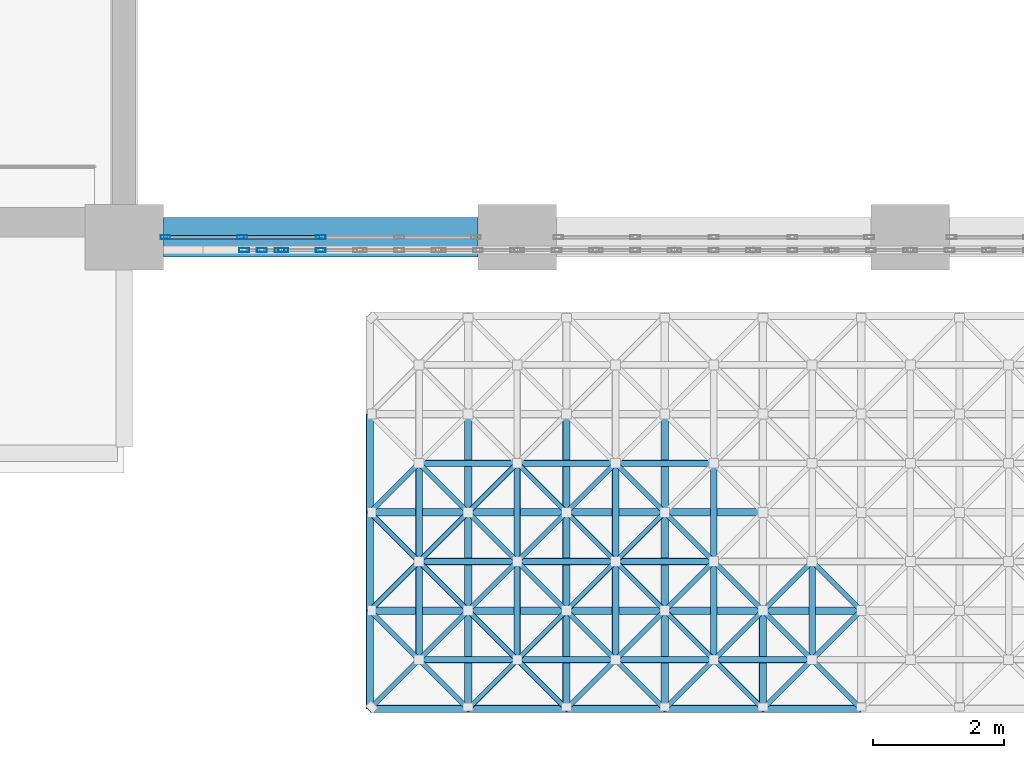
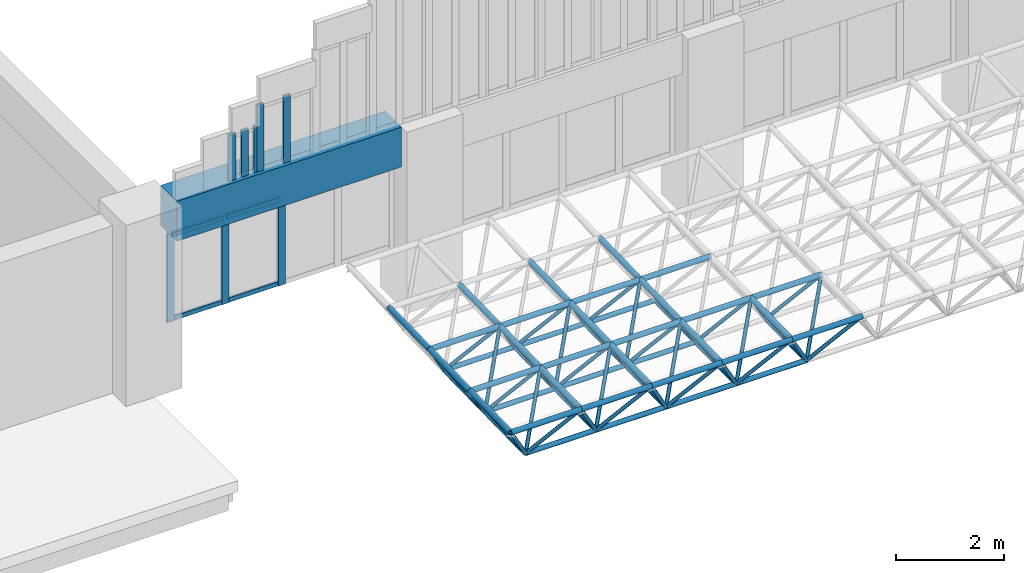
# One storey, part 8 of 103: 101 members, 1 beam, 3 elements without a shape of their own.
"""IFC4 building model written with IfcOpenShell, lengths in metres."""

from ifc_helpers import new_model, si_unit, direction, frame, origin, origin_2d, place, context, subcontext, project, spatial, rectangle, hollow_rectangle, hollow_circle, extrude, material, material_profile, profile_set, type_object, element, aggregate, save


model = new_model("IFC4")

# Units and contexts
model_context = context("Model", 3, precision=1e-05, world=origin(), true_north=direction((0.0, 1.0)))
body_context = subcontext(model_context, "Body", "Model", "MODEL_VIEW")
ifc_project = project(units=[si_unit("LENGTHUNIT", "METRE"), si_unit("AREAUNIT", "SQUARE_METRE"), si_unit("VOLUMEUNIT", "CUBIC_METRE"), si_unit("PLANEANGLEUNIT", "RADIAN"), si_unit("MASSUNIT", "GRAM", prefix="KILO")], contexts=[model_context])

# Site, building, storey
site_placement = place(None, origin())
site = spatial("IfcSite", under=ifc_project, at=site_placement, CompositionType="ELEMENT")
building_placement = place(site_placement, origin())
building = spatial("IfcBuilding", under=site, at=building_placement, Name="Laocheng Heights Fire and Rescue Headquarters", CompositionType="ELEMENT")
storey_placement = place(building_placement, frame((0.0, 0.0, 4.199951171875)))
storey = spatial("IfcBuildingStorey", under=building, at=storey_placement, Name="L01", CompositionType="ELEMENT", Elevation=4.199951171875)

# Curtain wall, members
ifc_material_1 = material(Name="Aluminium gable glazing, low-e double glazing", Category="aluminium")
curtain_wall_type_1 = type_object("IfcCurtainWallType", Name="GABLE SPANDREL GLAZED UNIT 4800 x 1990", PredefinedType="NOTDEFINED", material=ifc_material_1)
curtain_wall_1_placement = place(storey_placement, origin())
curtain_wall_1 = element("IfcCurtainWall", 1, at=curtain_wall_1_placement, inside=storey, type_object=curtain_wall_type_1, Name="Gable spandrel glazing S1", PredefinedType="NOTDEFINED")
ifc_material_2 = material(Name="Aluminium 6063-T5 extrusion", Category="aluminium")
ifc_material_profile_1 = material_profile(ifc_material_2, hollow_rectangle(XDim=0.06005859375, YDim=0.14990234375, WallThickness=0.0029296875, at=origin_2d()), Name="AL MULLION 150x60x3")
ifc_profile_set_1 = profile_set([ifc_material_profile_1], Name="Aluminium 6063-T5 extrusion")
member_type_1 = type_object("IfcMemberType", Name="AL GABLE MULLION 150x60x3", PredefinedType="MULLION", material=ifc_profile_set_1)
member_1_placement = place(storey_placement, frame((18.6298828125, 0.0, 1.199951171875), z_axis=(0.0, 0.0, 1.0), x_axis=(0.0, 1.0, 0.0)))
member_1 = element("IfcMember", 2, at=member_1_placement, type_object=member_type_1, Name="X1-D mullion 1", PredefinedType="MULLION", context=body_context, shape_type="SweptSolid", body=[
    extrude(hollow_rectangle(XDim=0.06005859375, YDim=0.14990234375, WallThickness=0.0029296875, at=origin_2d()), origin(), (0.0, 0.0, 1.0), 1.990478515625),
])
member_2_placement = place(storey_placement, frame((19.800048828125, 0.0, 1.199951171875), z_axis=(0.0, 0.0, 1.0), x_axis=(0.0, 1.0, 0.0)))
member_2 = element("IfcMember", 3, at=member_2_placement, type_object=member_type_1, Name="X1-D mullion 2", PredefinedType="MULLION", context=body_context, shape_type="SweptSolid", body=[
    extrude(hollow_rectangle(XDim=0.06005859375, YDim=0.14990234375, WallThickness=0.0029296875, at=origin_2d()), origin(), (0.0, 0.0, 1.0), 1.990478515625),
])
member_3_placement = place(storey_placement, frame((21.0, 0.0, 1.199951171875), z_axis=(0.0, 0.0, 1.0), x_axis=(0.0, 1.0, 0.0)))
member_3 = element("IfcMember", 4, at=member_3_placement, type_object=member_type_1, Name="X1-D mullion 3", PredefinedType="MULLION", context=body_context, shape_type="SweptSolid", body=[
    extrude(hollow_rectangle(XDim=0.06005859375, YDim=0.14990234375, WallThickness=0.0029296875, at=origin_2d()), origin(), (0.0, 0.0, 1.0), 1.990478515625),
])

ifc_material_3 = material(Name="Aluminium gable glazing, low-e double glazing", Category="aluminium")
curtain_wall_type_2 = type_object("IfcCurtainWallType", Name="GABLE GLAZED UNIT 600 x 1049", PredefinedType="NOTDEFINED", material=ifc_material_3)
curtain_wall_2_placement = place(storey_placement, origin())
curtain_wall_2 = element("IfcCurtainWall", 5, at=curtain_wall_2_placement, inside=storey, type_object=curtain_wall_type_2, Name="Gable glazing S03", PredefinedType="NOTDEFINED")
member_4_placement = place(storey_placement, frame((19.830078125, -0.196533203125, 4.090576171875), z_axis=(0.0, 0.0, 1.0), x_axis=(0.0, 1.0, 0.0)))
member_4 = element("IfcMember", 6, at=member_4_placement, type_object=member_type_1, Name="X2-D mullion 1", PredefinedType="MULLION", context=body_context, shape_type="SweptSolid", body=[
    extrude(hollow_rectangle(XDim=0.06005859375, YDim=0.14990234375, WallThickness=0.0029296875, at=origin_2d()), origin(), (0.0, 0.0, 1.0), 1.048583984375),
])
member_5_placement = place(storey_placement, frame((20.10009765625, -0.196533203125, 4.090576171875), z_axis=(0.0, 0.0, 1.0), x_axis=(0.0, 1.0, 0.0)))
member_5 = element("IfcMember", 7, at=member_5_placement, type_object=member_type_1, Name="X2-D mullion 2", PredefinedType="MULLION", context=body_context, shape_type="SweptSolid", body=[
    extrude(hollow_rectangle(XDim=0.06005859375, YDim=0.14990234375, WallThickness=0.0029296875, at=origin_2d()), origin(), (0.0, 0.0, 1.0), 1.048583984375),
])
member_6_placement = place(storey_placement, frame((20.3701171875, -0.196533203125, 4.090576171875), z_axis=(0.0, 0.0, 1.0), x_axis=(0.0, 1.0, 0.0)))
member_6 = element("IfcMember", 8, at=member_6_placement, type_object=member_type_1, Name="X2-D mullion 3", PredefinedType="MULLION", context=body_context, shape_type="SweptSolid", body=[
    extrude(hollow_rectangle(XDim=0.06005859375, YDim=0.14990234375, WallThickness=0.0029296875, at=origin_2d()), origin(), (0.0, 0.0, 1.0), 1.048583984375),
])
aggregate(curtain_wall_2, [member_4, member_5, member_6])

ifc_material_4 = material(Name="Aluminium gable glazing, low-e double glazing", Category="aluminium")
curtain_wall_type_3 = type_object("IfcCurtainWallType", Name="GABLE GLAZED UNIT 1200 x 1511", PredefinedType="NOTDEFINED", material=ifc_material_4)
curtain_wall_3_placement = place(storey_placement, origin())
curtain_wall_3 = element("IfcCurtainWall", 9, at=curtain_wall_3_placement, inside=storey, type_object=curtain_wall_type_3, Name="Gable glazing S04", PredefinedType="NOTDEFINED")
member_7_placement = place(storey_placement, frame((20.429931640625, -0.196533203125, 4.090576171875), z_axis=(0.0, 0.0, 1.0), x_axis=(0.0, 1.0, 0.0)))
member_7 = element("IfcMember", 10, at=member_7_placement, type_object=member_type_1, Name="X3-D mullion 1", PredefinedType="MULLION", context=body_context, shape_type="SweptSolid", body=[
    extrude(hollow_rectangle(XDim=0.06005859375, YDim=0.14990234375, WallThickness=0.0029296875, at=origin_2d()), origin(), (0.0, 0.0, 1.0), 1.511474609375),
])
member_8_placement = place(storey_placement, frame((21.0, -0.196533203125, 4.090576171875), z_axis=(0.0, 0.0, 1.0), x_axis=(0.0, 1.0, 0.0)))
member_8 = element("IfcMember", 11, at=member_8_placement, type_object=member_type_1, Name="X3-D mullion 2", PredefinedType="MULLION", context=body_context, shape_type="SweptSolid", body=[
    extrude(hollow_rectangle(XDim=0.06005859375, YDim=0.14990234375, WallThickness=0.0029296875, at=origin_2d()), origin(), (0.0, 0.0, 1.0), 1.511474609375),
])
aggregate(curtain_wall_3, [member_7, member_8])

# Member
ifc_material_5 = material(Name="Aluminium 6063-T5 extrusion", Category="aluminium")
ifc_material_profile_2 = material_profile(ifc_material_5, hollow_rectangle(XDim=0.050048828125, YDim=0.10009765625, WallThickness=0.0029296875, at=origin_2d()), Name="AL TRANSOM 100x50x3")
ifc_profile_set_2 = profile_set([ifc_material_profile_2], Name="Aluminium 6063-T5 extrusion")
member_type_2 = type_object("IfcMemberType", Name="AL GABLE TRANSOM 100x50x3", PredefinedType="USERDEFINED", material=ifc_profile_set_2)
member_9_placement = place(storey_placement, frame((18.659912109375, 0.0, 1.25), z_axis=(1.0, 0.0, 0.0), x_axis=(0.0, 1.0, 0.0)))
member_9 = element("IfcMember", 12, at=member_9_placement, type_object=member_type_2, Name="X1-D transom 1.1", ObjectType="TRANSOM", PredefinedType="USERDEFINED", context=body_context, shape_type="SweptSolid", body=[
    extrude(hollow_rectangle(XDim=0.050048828125, YDim=0.10009765625, WallThickness=0.0029296875, at=origin_2d()), origin(), (0.0, 0.0, 1.0), 1.110107421875),
])

member_10_placement = place(storey_placement, frame((18.659912109375, 0.0, 3.140625), z_axis=(1.0, 0.0, 0.0), x_axis=(0.0, 1.0, 0.0)))
member_10 = element("IfcMember", 13, at=member_10_placement, type_object=member_type_2, Name="X1-D transom 1.2", ObjectType="TRANSOM", PredefinedType="USERDEFINED", context=body_context, shape_type="SweptSolid", body=[
    extrude(hollow_rectangle(XDim=0.050048828125, YDim=0.10009765625, WallThickness=0.0029296875, at=origin_2d()), origin(), (0.0, 0.0, 1.0), 1.110107421875),
])

member_11_placement = place(storey_placement, frame((19.830078125, 0.0, 1.25), z_axis=(1.0, 0.0, 0.0), x_axis=(0.0, 1.0, 0.0)))
member_11 = element("IfcMember", 14, at=member_11_placement, type_object=member_type_2, Name="X1-D transom 2.1", ObjectType="TRANSOM", PredefinedType="USERDEFINED", context=body_context, shape_type="SweptSolid", body=[
    extrude(hollow_rectangle(XDim=0.050048828125, YDim=0.10009765625, WallThickness=0.0029296875, at=origin_2d()), origin(), (0.0, 0.0, 1.0), 1.139892578125),
])

member_12_placement = place(storey_placement, frame((19.830078125, 0.0, 3.140625), z_axis=(1.0, 0.0, 0.0), x_axis=(0.0, 1.0, 0.0)))
member_12 = element("IfcMember", 15, at=member_12_placement, type_object=member_type_2, Name="X1-D transom 2.2", ObjectType="TRANSOM", PredefinedType="USERDEFINED", context=body_context, shape_type="SweptSolid", body=[
    extrude(hollow_rectangle(XDim=0.050048828125, YDim=0.10009765625, WallThickness=0.0029296875, at=origin_2d()), origin(), (0.0, 0.0, 1.0), 1.139892578125),
])

aggregate(curtain_wall_1, [member_1, member_2, member_3, member_9, member_10, member_11, member_12])

# Members
ifc_material_6 = material(Name="Steel Q355B", Category="steel")
ifc_material_profile_3 = material_profile(ifc_material_6, hollow_circle(Radius=0.05078125, WallThickness=0.00390625, at=origin_2d()), Name="CHS 101.6x4")
ifc_profile_set_3 = profile_set([ifc_material_profile_3], Name="Steel Q355B")
member_type_3 = type_object("IfcMemberType", Name="APRON CANOPY BOTTOM CHORD CHS 101.6x4", PredefinedType="CHORD", material=ifc_profile_set_3)
for number, where, z_axis, x_axis, name in (
    (16, (22.5, -3.449951171875, 0.8310546875), (1.0, 0.0, 0.0), (0.0, 1.0, 0.0), "Apron canopy bottom chord AC-B023"),
    (17, (24.0, -3.449951171875, 0.8310546875), (1.0, 0.0, 0.0), (0.0, 1.0, 0.0), "Apron canopy bottom chord AC-B024"),
    (18, (25.5, -3.449951171875, 0.8310546875), (1.0, 0.0, 0.0), (0.0, 1.0, 0.0), "Apron canopy bottom chord AC-B025"),
    (19, (22.5, -4.949951171875, 0.801025390625), (1.0, 0.0, 0.0), (0.0, 1.0, 0.0), "Apron canopy bottom chord AC-B045"),
    (20, (24.0, -4.949951171875, 0.801025390625), (1.0, 0.0, 0.0), (0.0, 1.0, 0.0), "Apron canopy bottom chord AC-B046"),
    (21, (25.5, -4.949951171875, 0.801025390625), (1.0, 0.0, 0.0), (0.0, 1.0, 0.0), "Apron canopy bottom chord AC-B047"),
    (22, (22.5, -6.449951171875, 0.77099609375), (1.0, 0.0, 0.0), (0.0, 1.0, 0.0), "Apron canopy bottom chord AC-B067"),
    (23, (24.0, -6.449951171875, 0.77099609375), (1.0, 0.0, 0.0), (0.0, 1.0, 0.0), "Apron canopy bottom chord AC-B068"),
    (24, (25.5, -6.449951171875, 0.77099609375), (1.0, 0.0, 0.0), (0.0, 1.0, 0.0), "Apron canopy bottom chord AC-B069"),
    (25, (27.0, -6.449951171875, 0.77099609375), (1.0, 0.0, 0.0), (0.0, 1.0, 0.0), "Apron canopy bottom chord AC-B070"),
):
    element("IfcMember", number, at=place(storey_placement, frame(where, z_axis=z_axis, x_axis=x_axis)), inside=storey, type_object=member_type_3, Name=name, PredefinedType="CHORD", context=body_context, shape_type="SweptSolid", body=[
        extrude(hollow_circle(Radius=0.05078125, WallThickness=0.00390625, at=origin_2d()), origin(), (0.0, 0.0, 1.0), 1.5),
    ])
for number, where, z_axis, x_axis, name in (
    (26, (22.5, -3.449951171875, 0.8310546875), (0.0, -0.999799669399, -0.020015520725), (1.0, 0.0, 0.0), "Apron canopy bottom chord AC-B090"),
    (27, (22.5, -4.949951171875, 0.801025390625), (0.0, -0.999799669399, -0.020015520725), (1.0, 0.0, 0.0), "Apron canopy bottom chord AC-B091"),
    (28, (24.0, -3.449951171875, 0.8310546875), (0.0, -0.999799669399, -0.020015520725), (1.0, 0.0, 0.0), "Apron canopy bottom chord AC-B093"),
    (29, (24.0, -4.949951171875, 0.801025390625), (0.0, -0.999799669399, -0.020015520725), (1.0, 0.0, 0.0), "Apron canopy bottom chord AC-B094"),
    (30, (25.5, -3.449951171875, 0.8310546875), (0.0, -0.999799669399, -0.020015520725), (1.0, 0.0, 0.0), "Apron canopy bottom chord AC-B096"),
    (31, (25.5, -4.949951171875, 0.801025390625), (0.0, -0.999799669399, -0.020015520725), (1.0, 0.0, 0.0), "Apron canopy bottom chord AC-B097"),
    (32, (27.0, -3.449951171875, 0.8310546875), (0.0, -0.999799669399, -0.020015520725), (1.0, 0.0, 0.0), "Apron canopy bottom chord AC-B099"),
    (33, (27.0, -4.949951171875, 0.801025390625), (0.0, -0.999799669399, -0.020015520725), (1.0, 0.0, 0.0), "Apron canopy bottom chord AC-B100"),
    (34, (28.5, -4.949951171875, 0.801025390625), (0.0, -0.999799669399, -0.020015520725), (1.0, 0.0, 0.0), "Apron canopy bottom chord AC-B103"),
):
    element("IfcMember", number, at=place(storey_placement, frame(where, z_axis=z_axis, x_axis=x_axis)), inside=storey, type_object=member_type_3, Name=name, PredefinedType="CHORD", context=body_context, shape_type="SweptSolid", body=[
        extrude(hollow_circle(Radius=0.05078125, WallThickness=0.00390625, at=origin_2d()), origin(), (0.0, 0.0, 1.0), 1.500244140625),
    ])
ifc_material_7 = material(Name="Steel Q355B", Category="steel")
ifc_material_profile_4 = material_profile(ifc_material_7, hollow_circle(Radius=0.05712890625, WallThickness=0.0048828125, at=origin_2d()), Name="CHS 114.3x5")
ifc_profile_set_4 = profile_set([ifc_material_profile_4], Name="Steel Q355B")
member_type_4 = type_object("IfcMemberType", Name="APRON CANOPY TOP CHORD CHS 114.3x5", PredefinedType="CHORD", material=ifc_profile_set_4)
for number, where, z_axis, x_axis, name in (
    (35, (21.75, -4.199951171875, 2.01611328125), (1.0, 0.0, 0.0), (0.0, 1.0, 0.0), "Apron canopy top chord AC-T047"),
    (36, (23.25, -4.199951171875, 2.01611328125), (1.0, 0.0, 0.0), (0.0, 1.0, 0.0), "Apron canopy top chord AC-T048"),
    (37, (24.75, -4.199951171875, 2.01611328125), (1.0, 0.0, 0.0), (0.0, 1.0, 0.0), "Apron canopy top chord AC-T049"),
    (38, (26.25, -4.199951171875, 2.01611328125), (1.0, 0.0, 0.0), (0.0, 1.0, 0.0), "Apron canopy top chord AC-T050"),
    (39, (21.75, -5.699951171875, 1.986083984375), (1.0, 0.0, 0.0), (0.0, 1.0, 0.0), "Apron canopy top chord AC-T070"),
    (40, (23.25, -5.699951171875, 1.986083984375), (1.0, 0.0, 0.0), (0.0, 1.0, 0.0), "Apron canopy top chord AC-T071"),
    (41, (24.75, -5.699951171875, 1.986083984375), (1.0, 0.0, 0.0), (0.0, 1.0, 0.0), "Apron canopy top chord AC-T072"),
    (42, (26.25, -5.699951171875, 1.986083984375), (1.0, 0.0, 0.0), (0.0, 1.0, 0.0), "Apron canopy top chord AC-T073"),
    (43, (27.75, -5.699951171875, 1.986083984375), (1.0, 0.0, 0.0), (0.0, 1.0, 0.0), "Apron canopy top chord AC-T074"),
    (44, (21.75, -7.199951171875, 1.9560546875), (1.0, 0.0, 0.0), (0.0, 1.0, 0.0), "Apron canopy top chord AC-T093"),
    (45, (23.25, -7.199951171875, 1.9560546875), (1.0, 0.0, 0.0), (0.0, 1.0, 0.0), "Apron canopy top chord AC-T094"),
    (46, (24.75, -7.199951171875, 1.9560546875), (1.0, 0.0, 0.0), (0.0, 1.0, 0.0), "Apron canopy top chord AC-T095"),
    (47, (26.25, -7.199951171875, 1.9560546875), (1.0, 0.0, 0.0), (0.0, 1.0, 0.0), "Apron canopy top chord AC-T096"),
    (48, (27.75, -7.199951171875, 1.9560546875), (1.0, 0.0, 0.0), (0.0, 1.0, 0.0), "Apron canopy top chord AC-T097"),
):
    element("IfcMember", number, at=place(storey_placement, frame(where, z_axis=z_axis, x_axis=x_axis)), inside=storey, type_object=member_type_4, Name=name, PredefinedType="CHORD", context=body_context, shape_type="SweptSolid", body=[
        extrude(hollow_circle(Radius=0.05712890625, WallThickness=0.0048828125, at=origin_2d()), origin(), (0.0, 0.0, 1.0), 1.5),
    ])
for number, where, z_axis, x_axis, name in (
    (49, (21.75, -2.699951171875, 2.046142578125), (0.0, -0.999799669399, -0.020015520725), (1.0, 0.0, 0.0), "Apron canopy top chord AC-T117"),
    (50, (21.75, -4.199951171875, 2.01611328125), (0.0, -0.999799669399, -0.020015520725), (1.0, 0.0, 0.0), "Apron canopy top chord AC-T118"),
    (51, (21.75, -5.699951171875, 1.986083984375), (0.0, -0.999799669399, -0.020015520725), (1.0, 0.0, 0.0), "Apron canopy top chord AC-T119"),
    (52, (23.25, -2.699951171875, 2.046142578125), (0.0, -0.999799669399, -0.020015520725), (1.0, 0.0, 0.0), "Apron canopy top chord AC-T121"),
    (53, (23.25, -4.199951171875, 2.01611328125), (0.0, -0.999799669399, -0.020015520725), (1.0, 0.0, 0.0), "Apron canopy top chord AC-T122"),
    (54, (23.25, -5.699951171875, 1.986083984375), (0.0, -0.999799669399, -0.020015520725), (1.0, 0.0, 0.0), "Apron canopy top chord AC-T123"),
    (55, (24.75, -2.699951171875, 2.046142578125), (0.0, -0.999799669399, -0.020015520725), (1.0, 0.0, 0.0), "Apron canopy top chord AC-T125"),
    (56, (24.75, -4.199951171875, 2.01611328125), (0.0, -0.999799669399, -0.020015520725), (1.0, 0.0, 0.0), "Apron canopy top chord AC-T126"),
    (57, (24.75, -5.699951171875, 1.986083984375), (0.0, -0.999799669399, -0.020015520725), (1.0, 0.0, 0.0), "Apron canopy top chord AC-T127"),
    (58, (26.25, -2.699951171875, 2.046142578125), (0.0, -0.999799669399, -0.020015520725), (1.0, 0.0, 0.0), "Apron canopy top chord AC-T129"),
    (59, (26.25, -4.199951171875, 2.01611328125), (0.0, -0.999799669399, -0.020015520725), (1.0, 0.0, 0.0), "Apron canopy top chord AC-T130"),
    (60, (26.25, -5.699951171875, 1.986083984375), (0.0, -0.999799669399, -0.020015520725), (1.0, 0.0, 0.0), "Apron canopy top chord AC-T131"),
    (61, (27.75, -5.699951171875, 1.986083984375), (0.0, -0.999799669399, -0.020015520725), (1.0, 0.0, 0.0), "Apron canopy top chord AC-T135"),
):
    element("IfcMember", number, at=place(storey_placement, frame(where, z_axis=z_axis, x_axis=x_axis)), inside=storey, type_object=member_type_4, Name=name, PredefinedType="CHORD", context=body_context, shape_type="SweptSolid", body=[
        extrude(hollow_circle(Radius=0.05712890625, WallThickness=0.0048828125, at=origin_2d()), origin(), (0.0, 0.0, 1.0), 1.500244140625),
    ])
ifc_material_8 = material(Name="Steel Q355B", Category="steel")
ifc_material_profile_5 = material_profile(ifc_material_8, hollow_circle(Radius=0.0380859375, WallThickness=0.00390625, at=origin_2d()), Name="CHS 76.1x4")
ifc_profile_set_5 = profile_set([ifc_material_profile_5], Name="Steel Q355B")
member_type_5 = type_object("IfcMemberType", Name="APRON CANOPY WEB CHS 76.1x4", PredefinedType="BRACE", material=ifc_profile_set_5)
for number, where, z_axis, x_axis, name in (
    (62, (22.5, -3.449951171875, 0.8310546875), (-0.471580249604, -0.471580249604, 0.745133636582), (0.707106781187, -0.707106781187, 0.0), "Apron canopy web AC-W095"),
    (63, (22.5, -3.449951171875, 0.8310546875), (0.471580249604, -0.471580249604, 0.745133636582), (0.707106781187, 0.707106781187, 0.0), "Apron canopy web AC-W096"),
    (64, (24.0, -3.449951171875, 0.8310546875), (-0.471580249604, -0.471580249604, 0.745133636582), (0.707106781187, -0.707106781187, 0.0), "Apron canopy web AC-W099"),
    (65, (24.0, -3.449951171875, 0.8310546875), (0.471580249604, -0.471580249604, 0.745133636582), (0.707106781187, 0.707106781187, 0.0), "Apron canopy web AC-W100"),
    (66, (25.5, -3.449951171875, 0.8310546875), (-0.471580249604, -0.471580249604, 0.745133636582), (0.707106781187, -0.707106781187, 0.0), "Apron canopy web AC-W103"),
    (67, (25.5, -3.449951171875, 0.8310546875), (0.471580249604, -0.471580249604, 0.745133636582), (0.707106781187, 0.707106781187, 0.0), "Apron canopy web AC-W104"),
):
    element("IfcMember", number, at=place(storey_placement, frame(where, z_axis=z_axis, x_axis=x_axis)), inside=storey, type_object=member_type_5, Name=name, PredefinedType="BRACE", context=body_context, shape_type="SweptSolid", body=[
        extrude(hollow_circle(Radius=0.0380859375, WallThickness=0.00390625, at=origin_2d()), origin(), (0.0, 0.0, 1.0), 1.59033203125),
    ])
for number, where, z_axis, x_axis, name in (
    (68, (22.5, -4.949951171875, 0.801025390625), (-0.465001629625, 0.465001629625, 0.75335713237), (-0.707106781187, -0.707106781187, 0.0), "Apron canopy web AC-W185"),
    (69, (22.5, -4.949951171875, 0.801025390625), (0.465001629625, 0.465001629625, 0.75335713237), (-0.707106781187, 0.707106781187, 0.0), "Apron canopy web AC-W186"),
):
    element("IfcMember", number, at=place(storey_placement, frame(where, z_axis=z_axis, x_axis=x_axis)), inside=storey, type_object=member_type_5, Name=name, PredefinedType="BRACE", context=body_context, shape_type="SweptSolid", body=[
        extrude(hollow_circle(Radius=0.0380859375, WallThickness=0.00390625, at=origin_2d()), origin(), (0.0, 0.0, 1.0), 1.61279296875),
    ])
for number, where, z_axis, x_axis, name in (
    (70, (22.5, -4.949951171875, 0.801025390625), (-0.471580249604, -0.471580249604, 0.745133636582), (0.707106781187, -0.707106781187, 0.0), "Apron canopy web AC-W187"),
    (71, (22.5, -4.949951171875, 0.801025390625), (0.471580249604, -0.471580249604, 0.745133636582), (0.707106781187, 0.707106781187, 0.0), "Apron canopy web AC-W188"),
):
    element("IfcMember", number, at=place(storey_placement, frame(where, z_axis=z_axis, x_axis=x_axis)), inside=storey, type_object=member_type_5, Name=name, PredefinedType="BRACE", context=body_context, shape_type="SweptSolid", body=[
        extrude(hollow_circle(Radius=0.0380859375, WallThickness=0.00390625, at=origin_2d()), origin(), (0.0, 0.0, 1.0), 1.59033203125),
    ])
for number, where, z_axis, x_axis, name in (
    (72, (24.0, -4.949951171875, 0.801025390625), (-0.465001629625, 0.465001629625, 0.75335713237), (-0.707106781187, -0.707106781187, 0.0), "Apron canopy web AC-W189"),
    (73, (24.0, -4.949951171875, 0.801025390625), (0.465001629625, 0.465001629625, 0.75335713237), (-0.707106781187, 0.707106781187, 0.0), "Apron canopy web AC-W190"),
):
    element("IfcMember", number, at=place(storey_placement, frame(where, z_axis=z_axis, x_axis=x_axis)), inside=storey, type_object=member_type_5, Name=name, PredefinedType="BRACE", context=body_context, shape_type="SweptSolid", body=[
        extrude(hollow_circle(Radius=0.0380859375, WallThickness=0.00390625, at=origin_2d()), origin(), (0.0, 0.0, 1.0), 1.61279296875),
    ])
for number, where, z_axis, x_axis, name in (
    (74, (24.0, -4.949951171875, 0.801025390625), (-0.471580249604, -0.471580249604, 0.745133636582), (0.707106781187, -0.707106781187, 0.0), "Apron canopy web AC-W191"),
    (75, (24.0, -4.949951171875, 0.801025390625), (0.471580249604, -0.471580249604, 0.745133636582), (0.707106781187, 0.707106781187, 0.0), "Apron canopy web AC-W192"),
):
    element("IfcMember", number, at=place(storey_placement, frame(where, z_axis=z_axis, x_axis=x_axis)), inside=storey, type_object=member_type_5, Name=name, PredefinedType="BRACE", context=body_context, shape_type="SweptSolid", body=[
        extrude(hollow_circle(Radius=0.0380859375, WallThickness=0.00390625, at=origin_2d()), origin(), (0.0, 0.0, 1.0), 1.59033203125),
    ])
for number, where, z_axis, x_axis, name in (
    (76, (25.5, -4.949951171875, 0.801025390625), (-0.465001629625, 0.465001629625, 0.75335713237), (-0.707106781187, -0.707106781187, 0.0), "Apron canopy web AC-W193"),
    (77, (25.5, -4.949951171875, 0.801025390625), (0.465001629625, 0.465001629625, 0.75335713237), (-0.707106781187, 0.707106781187, 0.0), "Apron canopy web AC-W194"),
):
    element("IfcMember", number, at=place(storey_placement, frame(where, z_axis=z_axis, x_axis=x_axis)), inside=storey, type_object=member_type_5, Name=name, PredefinedType="BRACE", context=body_context, shape_type="SweptSolid", body=[
        extrude(hollow_circle(Radius=0.0380859375, WallThickness=0.00390625, at=origin_2d()), origin(), (0.0, 0.0, 1.0), 1.61279296875),
    ])
for number, where, z_axis, x_axis, name in (
    (78, (25.5, -4.949951171875, 0.801025390625), (-0.471580249604, -0.471580249604, 0.745133636582), (0.707106781187, -0.707106781187, 0.0), "Apron canopy web AC-W195"),
    (79, (25.5, -4.949951171875, 0.801025390625), (0.471580249604, -0.471580249604, 0.745133636582), (0.707106781187, 0.707106781187, 0.0), "Apron canopy web AC-W196"),
):
    element("IfcMember", number, at=place(storey_placement, frame(where, z_axis=z_axis, x_axis=x_axis)), inside=storey, type_object=member_type_5, Name=name, PredefinedType="BRACE", context=body_context, shape_type="SweptSolid", body=[
        extrude(hollow_circle(Radius=0.0380859375, WallThickness=0.00390625, at=origin_2d()), origin(), (0.0, 0.0, 1.0), 1.59033203125),
    ])
member_13_placement = place(storey_placement, frame((27.0, -4.949951171875, 0.801025390625), z_axis=(-0.465001629625, 0.465001629625, 0.75335713237), x_axis=(-0.707106781187, -0.707106781187, 0.0)))
element("IfcMember", 80, at=member_13_placement, inside=storey, type_object=member_type_5, Name="Apron canopy web AC-W197", PredefinedType="BRACE", context=body_context, shape_type="SweptSolid", body=[
    extrude(hollow_circle(Radius=0.0380859375, WallThickness=0.00390625, at=origin_2d()), origin(), (0.0, 0.0, 1.0), 1.61279296875),
])
for number, where, z_axis, x_axis, name in (
    (81, (27.0, -4.949951171875, 0.801025390625), (-0.471580249604, -0.471580249604, 0.745133636582), (0.707106781187, -0.707106781187, 0.0), "Apron canopy web AC-W199"),
    (82, (27.0, -4.949951171875, 0.801025390625), (0.471580249604, -0.471580249604, 0.745133636582), (0.707106781187, 0.707106781187, 0.0), "Apron canopy web AC-W200"),
    (83, (28.5, -4.949951171875, 0.801025390625), (-0.471580249604, -0.471580249604, 0.745133636582), (0.707106781187, -0.707106781187, 0.0), "Apron canopy web AC-W203"),
    (84, (28.5, -4.949951171875, 0.801025390625), (0.471580249604, -0.471580249604, 0.745133636582), (0.707106781187, 0.707106781187, 0.0), "Apron canopy web AC-W204"),
):
    element("IfcMember", number, at=place(storey_placement, frame(where, z_axis=z_axis, x_axis=x_axis)), inside=storey, type_object=member_type_5, Name=name, PredefinedType="BRACE", context=body_context, shape_type="SweptSolid", body=[
        extrude(hollow_circle(Radius=0.0380859375, WallThickness=0.00390625, at=origin_2d()), origin(), (0.0, 0.0, 1.0), 1.59033203125),
    ])
for number, where, z_axis, x_axis, name in (
    (85, (22.5, -6.449951171875, 0.77099609375), (-0.465001629625, 0.465001629625, 0.75335713237), (-0.707106781187, -0.707106781187, 0.0), "Apron canopy web AC-W277"),
    (86, (22.5, -6.449951171875, 0.77099609375), (0.465001629625, 0.465001629625, 0.75335713237), (-0.707106781187, 0.707106781187, 0.0), "Apron canopy web AC-W278"),
):
    element("IfcMember", number, at=place(storey_placement, frame(where, z_axis=z_axis, x_axis=x_axis)), inside=storey, type_object=member_type_5, Name=name, PredefinedType="BRACE", context=body_context, shape_type="SweptSolid", body=[
        extrude(hollow_circle(Radius=0.0380859375, WallThickness=0.00390625, at=origin_2d()), origin(), (0.0, 0.0, 1.0), 1.61279296875),
    ])
for number, where, z_axis, x_axis, name in (
    (87, (22.5, -6.449951171875, 0.77099609375), (-0.471580249604, -0.471580249604, 0.745133636582), (0.707106781187, -0.707106781187, 0.0), "Apron canopy web AC-W279"),
    (88, (22.5, -6.449951171875, 0.77099609375), (0.471580249604, -0.471580249604, 0.745133636582), (0.707106781187, 0.707106781187, 0.0), "Apron canopy web AC-W280"),
):
    element("IfcMember", number, at=place(storey_placement, frame(where, z_axis=z_axis, x_axis=x_axis)), inside=storey, type_object=member_type_5, Name=name, PredefinedType="BRACE", context=body_context, shape_type="SweptSolid", body=[
        extrude(hollow_circle(Radius=0.0380859375, WallThickness=0.00390625, at=origin_2d()), origin(), (0.0, 0.0, 1.0), 1.59033203125),
    ])
for number, where, z_axis, x_axis, name in (
    (89, (24.0, -6.449951171875, 0.77099609375), (-0.465001629625, 0.465001629625, 0.75335713237), (-0.707106781187, -0.707106781187, 0.0), "Apron canopy web AC-W281"),
    (90, (24.0, -6.449951171875, 0.77099609375), (0.465001629625, 0.465001629625, 0.75335713237), (-0.707106781187, 0.707106781187, 0.0), "Apron canopy web AC-W282"),
):
    element("IfcMember", number, at=place(storey_placement, frame(where, z_axis=z_axis, x_axis=x_axis)), inside=storey, type_object=member_type_5, Name=name, PredefinedType="BRACE", context=body_context, shape_type="SweptSolid", body=[
        extrude(hollow_circle(Radius=0.0380859375, WallThickness=0.00390625, at=origin_2d()), origin(), (0.0, 0.0, 1.0), 1.61279296875),
    ])
for number, where, z_axis, x_axis, name in (
    (91, (24.0, -6.449951171875, 0.77099609375), (-0.471580249604, -0.471580249604, 0.745133636582), (0.707106781187, -0.707106781187, 0.0), "Apron canopy web AC-W283"),
    (92, (24.0, -6.449951171875, 0.77099609375), (0.471580249604, -0.471580249604, 0.745133636582), (0.707106781187, 0.707106781187, 0.0), "Apron canopy web AC-W284"),
):
    element("IfcMember", number, at=place(storey_placement, frame(where, z_axis=z_axis, x_axis=x_axis)), inside=storey, type_object=member_type_5, Name=name, PredefinedType="BRACE", context=body_context, shape_type="SweptSolid", body=[
        extrude(hollow_circle(Radius=0.0380859375, WallThickness=0.00390625, at=origin_2d()), origin(), (0.0, 0.0, 1.0), 1.59033203125),
    ])
for number, where, z_axis, x_axis, name in (
    (93, (25.5, -6.449951171875, 0.77099609375), (-0.465001629625, 0.465001629625, 0.75335713237), (-0.707106781187, -0.707106781187, 0.0), "Apron canopy web AC-W285"),
    (94, (25.5, -6.449951171875, 0.77099609375), (0.465001629625, 0.465001629625, 0.75335713237), (-0.707106781187, 0.707106781187, 0.0), "Apron canopy web AC-W286"),
):
    element("IfcMember", number, at=place(storey_placement, frame(where, z_axis=z_axis, x_axis=x_axis)), inside=storey, type_object=member_type_5, Name=name, PredefinedType="BRACE", context=body_context, shape_type="SweptSolid", body=[
        extrude(hollow_circle(Radius=0.0380859375, WallThickness=0.00390625, at=origin_2d()), origin(), (0.0, 0.0, 1.0), 1.61279296875),
    ])
for number, where, z_axis, x_axis, name in (
    (95, (25.5, -6.449951171875, 0.77099609375), (-0.471580249604, -0.471580249604, 0.745133636582), (0.707106781187, -0.707106781187, 0.0), "Apron canopy web AC-W287"),
    (96, (25.5, -6.449951171875, 0.77099609375), (0.471580249604, -0.471580249604, 0.745133636582), (0.707106781187, 0.707106781187, 0.0), "Apron canopy web AC-W288"),
):
    element("IfcMember", number, at=place(storey_placement, frame(where, z_axis=z_axis, x_axis=x_axis)), inside=storey, type_object=member_type_5, Name=name, PredefinedType="BRACE", context=body_context, shape_type="SweptSolid", body=[
        extrude(hollow_circle(Radius=0.0380859375, WallThickness=0.00390625, at=origin_2d()), origin(), (0.0, 0.0, 1.0), 1.59033203125),
    ])
for number, where, z_axis, x_axis, name in (
    (97, (27.0, -6.449951171875, 0.77099609375), (-0.465001629625, 0.465001629625, 0.75335713237), (-0.707106781187, -0.707106781187, 0.0), "Apron canopy web AC-W289"),
    (98, (27.0, -6.449951171875, 0.77099609375), (0.465001629625, 0.465001629625, 0.75335713237), (-0.707106781187, 0.707106781187, 0.0), "Apron canopy web AC-W290"),
):
    element("IfcMember", number, at=place(storey_placement, frame(where, z_axis=z_axis, x_axis=x_axis)), inside=storey, type_object=member_type_5, Name=name, PredefinedType="BRACE", context=body_context, shape_type="SweptSolid", body=[
        extrude(hollow_circle(Radius=0.0380859375, WallThickness=0.00390625, at=origin_2d()), origin(), (0.0, 0.0, 1.0), 1.61279296875),
    ])
for number, where, z_axis, x_axis, name in (
    (99, (27.0, -6.449951171875, 0.77099609375), (-0.471580249604, -0.471580249604, 0.745133636582), (0.707106781187, -0.707106781187, 0.0), "Apron canopy web AC-W291"),
    (100, (27.0, -6.449951171875, 0.77099609375), (0.471580249604, -0.471580249604, 0.745133636582), (0.707106781187, 0.707106781187, 0.0), "Apron canopy web AC-W292"),
):
    element("IfcMember", number, at=place(storey_placement, frame(where, z_axis=z_axis, x_axis=x_axis)), inside=storey, type_object=member_type_5, Name=name, PredefinedType="BRACE", context=body_context, shape_type="SweptSolid", body=[
        extrude(hollow_circle(Radius=0.0380859375, WallThickness=0.00390625, at=origin_2d()), origin(), (0.0, 0.0, 1.0), 1.59033203125),
    ])
for number, where, z_axis, x_axis, name in (
    (101, (28.5, -6.449951171875, 0.77099609375), (-0.465001629625, 0.465001629625, 0.75335713237), (-0.707106781187, -0.707106781187, 0.0), "Apron canopy web AC-W293"),
    (102, (28.5, -6.449951171875, 0.77099609375), (0.465001629625, 0.465001629625, 0.75335713237), (-0.707106781187, 0.707106781187, 0.0), "Apron canopy web AC-W294"),
):
    element("IfcMember", number, at=place(storey_placement, frame(where, z_axis=z_axis, x_axis=x_axis)), inside=storey, type_object=member_type_5, Name=name, PredefinedType="BRACE", context=body_context, shape_type="SweptSolid", body=[
        extrude(hollow_circle(Radius=0.0380859375, WallThickness=0.00390625, at=origin_2d()), origin(), (0.0, 0.0, 1.0), 1.61279296875),
    ])
for number, where, z_axis, x_axis, name in (
    (103, (28.5, -6.449951171875, 0.77099609375), (-0.471580249604, -0.471580249604, 0.745133636582), (0.707106781187, -0.707106781187, 0.0), "Apron canopy web AC-W295"),
    (104, (28.5, -6.449951171875, 0.77099609375), (0.471580249604, -0.471580249604, 0.745133636582), (0.707106781187, 0.707106781187, 0.0), "Apron canopy web AC-W296"),
):
    element("IfcMember", number, at=place(storey_placement, frame(where, z_axis=z_axis, x_axis=x_axis)), inside=storey, type_object=member_type_5, Name=name, PredefinedType="BRACE", context=body_context, shape_type="SweptSolid", body=[
        extrude(hollow_circle(Radius=0.0380859375, WallThickness=0.00390625, at=origin_2d()), origin(), (0.0, 0.0, 1.0), 1.59033203125),
    ])

# Beam
ifc_material_9 = material(Name="Concrete C50", Category="concrete")
ifc_material_profile_6 = material_profile(ifc_material_9, rectangle(XDim=0.60009765625, YDim=0.89990234375, at=origin_2d()), Name="RC BEAM 600x900 GABLE SPRING BEAM")
ifc_profile_set_6 = profile_set([ifc_material_profile_6], Name="Concrete C50")
beam_type = type_object("IfcBeamType", Name="RC BEAM 600x900 GABLE SPRING BEAM", PredefinedType="BEAM", material=ifc_profile_set_6)
beam_placement = place(storey_placement, frame((18.60009765625, 0.0, 3.640625), z_axis=(1.0, 0.0, 0.0), x_axis=(0.0, 1.0, 0.0)))
element("IfcBeam", 105, at=beam_placement, inside=storey, type_object=beam_type, Name="Gable spring beam S1", PredefinedType="BEAM", context=body_context, shape_type="SweptSolid", body=[
    extrude(rectangle(XDim=0.60009765625, YDim=0.89990234375, at=origin_2d()), origin(), (0.0, 0.0, 1.0), 4.7998046875),
])

save(model, "model.ifc")
